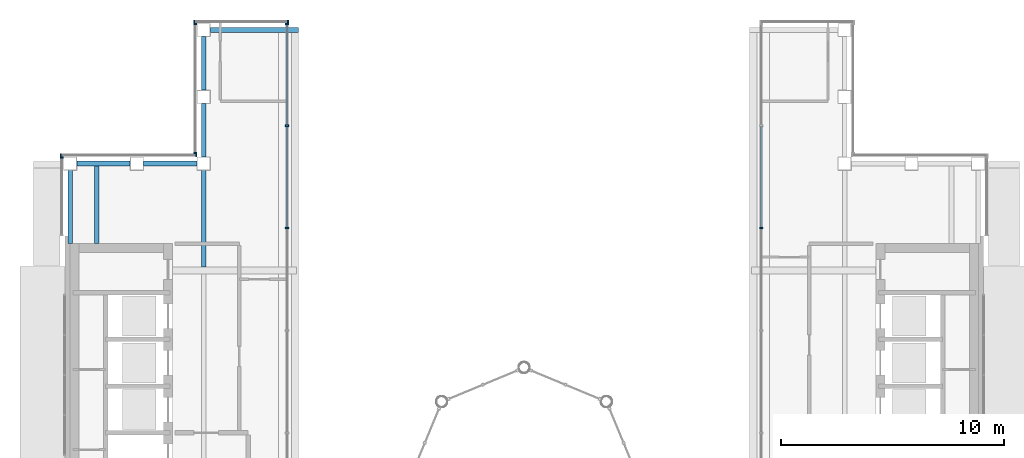
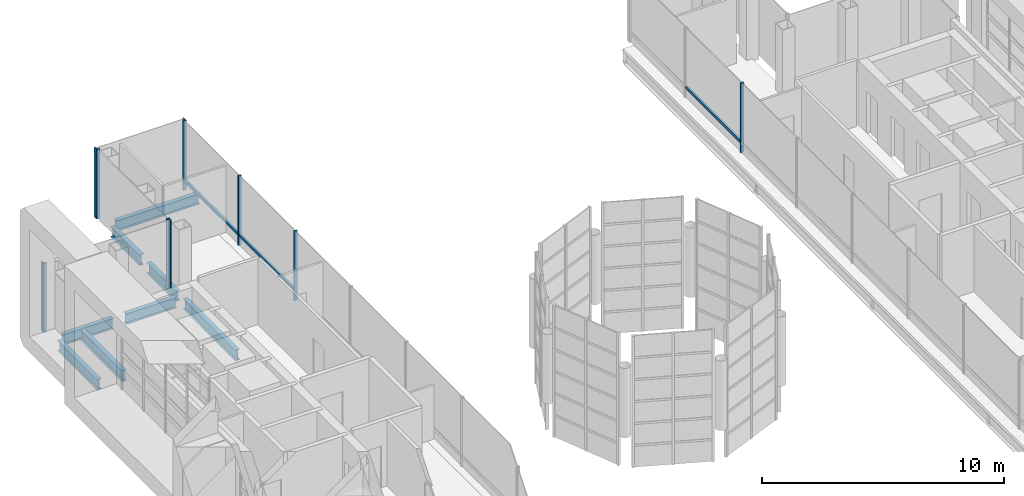
# One storey, part 8 of 21: 14 members, 8 beams, 6 elements without a shape of their own.
"""IFC4 building model written with IfcOpenShell, lengths in metres."""

from ifc_helpers import new_model, si_unit, direction, frame, origin, origin_2d, place, context, subcontext, project, spatial, rectangle, i_section, extrude, material, material_profile, profile_set, type_object, element, aggregate, save


model = new_model("IFC4")

# Units and contexts
model_context = context("Model", 3, precision=1e-05, world=origin(), true_north=direction((0.0, 1.0)))
body_context = subcontext(model_context, "Body", "Model", "MODEL_VIEW")
ifc_project = project(units=[si_unit("LENGTHUNIT", "METRE"), si_unit("AREAUNIT", "SQUARE_METRE"), si_unit("VOLUMEUNIT", "CUBIC_METRE"), si_unit("PLANEANGLEUNIT", "RADIAN"), si_unit("MASSUNIT", "GRAM", prefix="KILO")], contexts=[model_context])

# Site, building, storey
site_placement = place(None, origin())
site = spatial("IfcSite", under=ifc_project, at=site_placement, CompositionType="ELEMENT")
building_placement = place(site_placement, origin())
building = spatial("IfcBuilding", under=site, at=building_placement, Name="Cobrizo Arcos Hotel Tower", CompositionType="ELEMENT")
storey_placement = place(building_placement, frame((0.0, 0.0, 283.0)))
storey = spatial("IfcBuildingStorey", under=building, at=storey_placement, Name="L75", CompositionType="ELEMENT", Elevation=283.0)

# Curtain wall, members
ifc_material_1 = material(Name="Aluminium 6063-T6 anodised bronze", Category="aluminium")
curtain_wall_type_1 = type_object("IfcCurtainWallType", Name="CW-A guest facade", PredefinedType="NOTDEFINED", material=ifc_material_1)
curtain_wall_1_placement = place(storey_placement, origin())
curtain_wall_1 = element("IfcCurtainWall", 1, at=curtain_wall_1_placement, inside=storey, type_object=curtain_wall_type_1, Name="CW-A L75 N face", PredefinedType="NOTDEFINED")
ifc_material_profile_1 = material_profile(ifc_material_1, rectangle(XDim=0.14990234375, YDim=0.06005859375, at=origin_2d()), Name="CW-A mullion 150x60")
ifc_profile_set_1 = profile_set([ifc_material_profile_1], Name="Aluminium 6063-T6 anodised bronze")
member_type_1 = type_object("IfcMemberType", Name="CW-A mullion 150x60", PredefinedType="MULLION", material=ifc_profile_set_1)
member_1_placement = place(storey_placement, frame((-10.60595703125, 20.77490234375, 0.0), z_axis=(0.0, 0.0, 1.0), x_axis=(0.0, 1.0, 0.0)))
member_1 = element("IfcMember", 2, at=member_1_placement, type_object=member_type_1, Name="CW-A mullion 1", PredefinedType="MULLION", context=body_context, shape_type="SweptSolid", body=[
    extrude(rectangle(XDim=0.14990234375, YDim=0.06005859375, at=origin_2d()), origin(), (0.0, 0.0, 1.0), 3.5),
])
member_2_placement = place(storey_placement, frame((-14.820068359375, 20.77490234375, 0.0), z_axis=(0.0, 0.0, 1.0), x_axis=(0.0, 1.0, 0.0)))
member_2 = element("IfcMember", 3, at=member_2_placement, type_object=member_type_1, Name="CW-A mullion 2", PredefinedType="MULLION", context=body_context, shape_type="SweptSolid", body=[
    extrude(rectangle(XDim=0.14990234375, YDim=0.06005859375, at=origin_2d()), origin(), (0.0, 0.0, 1.0), 3.5),
])
aggregate(curtain_wall_1, [member_1, member_2])

curtain_wall_2_placement = place(storey_placement, origin())
curtain_wall_2 = element("IfcCurtainWall", 4, at=curtain_wall_2_placement, inside=storey, type_object=curtain_wall_type_1, Name="CW-A L75 W face", PredefinedType="NOTDEFINED")
member_3_placement = place(storey_placement, frame((-14.77490234375, 20.669921875, 0.0), z_axis=(0.0, 0.0, 1.0), x_axis=(-1.0, 0.0, 0.0)))
member_3 = element("IfcMember", 5, at=member_3_placement, type_object=member_type_1, Name="CW-A mullion 1", PredefinedType="MULLION", context=body_context, shape_type="SweptSolid", body=[
    extrude(rectangle(XDim=0.14990234375, YDim=0.06005859375, at=origin_2d()), origin(), (0.0, 0.0, 1.0), 3.5),
])
member_4_placement = place(storey_placement, frame((-14.77490234375, 14.8798828125, 0.0), z_axis=(0.0, 0.0, 1.0), x_axis=(-1.0, 0.0, 0.0)))
member_4 = element("IfcMember", 6, at=member_4_placement, type_object=member_type_1, Name="CW-A mullion 2", PredefinedType="MULLION", context=body_context, shape_type="SweptSolid", body=[
    extrude(rectangle(XDim=0.14990234375, YDim=0.06005859375, at=origin_2d()), origin(), (0.0, 0.0, 1.0), 3.5),
])
aggregate(curtain_wall_2, [member_3, member_4])

curtain_wall_3_placement = place(storey_placement, origin())
curtain_wall_3 = element("IfcCurtainWall", 7, at=curtain_wall_3_placement, inside=storey, type_object=curtain_wall_type_1, Name="CW-A L75 N face", PredefinedType="NOTDEFINED")
member_5_placement = place(storey_placement, frame((-14.72998046875, 14.77490234375, 0.0), z_axis=(0.0, 0.0, 1.0), x_axis=(0.0, 1.0, 0.0)))
member_5 = element("IfcMember", 8, at=member_5_placement, type_object=member_type_1, Name="CW-A mullion 1", PredefinedType="MULLION", context=body_context, shape_type="SweptSolid", body=[
    extrude(rectangle(XDim=0.14990234375, YDim=0.06005859375, at=origin_2d()), origin(), (0.0, 0.0, 1.0), 3.5),
])
member_6_placement = place(storey_placement, frame((-20.820068359375, 14.77490234375, 0.0), z_axis=(0.0, 0.0, 1.0), x_axis=(0.0, 1.0, 0.0)))
member_6 = element("IfcMember", 9, at=member_6_placement, type_object=member_type_1, Name="CW-A mullion 2", PredefinedType="MULLION", context=body_context, shape_type="SweptSolid", body=[
    extrude(rectangle(XDim=0.14990234375, YDim=0.06005859375, at=origin_2d()), origin(), (0.0, 0.0, 1.0), 3.5),
])
aggregate(curtain_wall_3, [member_5, member_6])

# Curtain wall, member
curtain_wall_4_placement = place(storey_placement, origin())
curtain_wall_4 = element("IfcCurtainWall", 10, at=curtain_wall_4_placement, inside=storey, type_object=curtain_wall_type_1, Name="CW-A L75 W face", PredefinedType="NOTDEFINED")
member_7_placement = place(storey_placement, frame((-20.77490234375, 14.669921875, 0.0), z_axis=(0.0, 0.0, 1.0), x_axis=(-1.0, 0.0, 0.0)))
member_7 = element("IfcMember", 11, at=member_7_placement, type_object=member_type_1, Name="CW-A mullion 1", PredefinedType="MULLION", context=body_context, shape_type="SweptSolid", body=[
    extrude(rectangle(XDim=0.14990234375, YDim=0.06005859375, at=origin_2d()), origin(), (0.0, 0.0, 1.0), 3.5),
])
aggregate(curtain_wall_4, [member_7])

curtain_wall_type_2 = type_object("IfcCurtainWallType", Name="CW-C arch infill and crown glazing", PredefinedType="NOTDEFINED", material=ifc_material_1)
curtain_wall_5_placement = place(storey_placement, origin())
curtain_wall_5 = element("IfcCurtainWall", 12, at=curtain_wall_5_placement, inside=storey, type_object=curtain_wall_type_2, Name="CW-C L75 W face", PredefinedType="NOTDEFINED")
ifc_material_profile_2 = material_profile(ifc_material_1, rectangle(XDim=0.14990234375, YDim=0.070068359375, at=origin_2d()), Name="CW-C mullion 150x70")
ifc_profile_set_2 = profile_set([ifc_material_profile_2], Name="Aluminium 6063-T6 anodised bronze")
member_type_2 = type_object("IfcMemberType", Name="CW-C mullion 150x70", PredefinedType="MULLION", material=ifc_profile_set_2)
member_8_placement = place(storey_placement, frame((10.65087890625, 11.5, 0.0), z_axis=(0.0, 0.0, 1.0), x_axis=(-1.0, 0.0, 0.0)))
member_8 = element("IfcMember", 13, at=member_8_placement, type_object=member_type_2, Name="CW-C mullion 3", PredefinedType="MULLION", context=body_context, shape_type="SweptSolid", body=[
    extrude(rectangle(XDim=0.14990234375, YDim=0.070068359375, at=origin_2d()), origin(), (0.0, 0.0, 1.0), 3.5),
])

# Curtain wall, members
curtain_wall_6_placement = place(storey_placement, origin())
curtain_wall_6 = element("IfcCurtainWall", 14, at=curtain_wall_6_placement, inside=storey, type_object=curtain_wall_type_2, Name="CW-C L75 E face", PredefinedType="NOTDEFINED")
member_9_placement = place(storey_placement, frame((-10.65087890625, 11.5, 0.0), z_axis=(0.0, 0.0, 1.0), x_axis=(1.0, 0.0, 0.0)))
member_9 = element("IfcMember", 15, at=member_9_placement, type_object=member_type_2, Name="CW-C mullion 8", PredefinedType="MULLION", context=body_context, shape_type="SweptSolid", body=[
    extrude(rectangle(XDim=0.14990234375, YDim=0.070068359375, at=origin_2d()), origin(), (0.0, 0.0, 1.0), 3.5),
])
member_10_placement = place(storey_placement, frame((-10.65087890625, 16.10009765625, 0.0), z_axis=(0.0, 0.0, 1.0), x_axis=(1.0, 0.0, 0.0)))
member_10 = element("IfcMember", 16, at=member_10_placement, type_object=member_type_2, Name="CW-C mullion 9", PredefinedType="MULLION", context=body_context, shape_type="SweptSolid", body=[
    extrude(rectangle(XDim=0.14990234375, YDim=0.070068359375, at=origin_2d()), origin(), (0.0, 0.0, 1.0), 3.5),
])
member_11_placement = place(storey_placement, frame((-10.65087890625, 20.6650390625, 0.0), z_axis=(0.0, 0.0, 1.0), x_axis=(1.0, 0.0, 0.0)))
member_11 = element("IfcMember", 17, at=member_11_placement, type_object=member_type_2, Name="CW-C mullion 10", PredefinedType="MULLION", context=body_context, shape_type="SweptSolid", body=[
    extrude(rectangle(XDim=0.14990234375, YDim=0.070068359375, at=origin_2d()), origin(), (0.0, 0.0, 1.0), 3.5),
])

# Member
ifc_material_profile_3 = material_profile(ifc_material_1, rectangle(XDim=0.10009765625, YDim=0.139892578125, at=origin_2d()), Name="CW-C transom 140x100")
ifc_profile_set_3 = profile_set([ifc_material_profile_3], Name="Aluminium 6063-T6 anodised bronze")
member_type_3 = type_object("IfcMemberType", Name="CW-C transom 140x100", PredefinedType="USERDEFINED", material=ifc_profile_set_3)
member_12_placement = place(storey_placement, frame((10.65087890625, 16.06494140625, 0.5), z_axis=(0.0, -1.0, 0.0), x_axis=(1.0, 0.0, 0.0)))
member_12 = element("IfcMember", 18, at=member_12_placement, type_object=member_type_3, Name="CW-C transom 2360", ObjectType="TRANSOM", PredefinedType="USERDEFINED", context=body_context, shape_type="SweptSolid", body=[
    extrude(rectangle(XDim=0.10009765625, YDim=0.139892578125, at=origin_2d()), origin(), (0.0, 0.0, 1.0), 4.530029296875),
])

aggregate(curtain_wall_5, [member_8, member_12])

member_13_placement = place(storey_placement, frame((-10.65087890625, 11.534912109375, 0.5), z_axis=(0.0, 1.0, 0.0), x_axis=(-1.0, 0.0, 0.0)))
member_13 = element("IfcMember", 19, at=member_13_placement, type_object=member_type_3, Name="CW-C transom 2383", ObjectType="TRANSOM", PredefinedType="USERDEFINED", context=body_context, shape_type="SweptSolid", body=[
    extrude(rectangle(XDim=0.10009765625, YDim=0.139892578125, at=origin_2d()), origin(), (0.0, 0.0, 1.0), 4.530029296875),
])

member_14_placement = place(storey_placement, frame((-10.65087890625, 16.135009765625, 0.5), z_axis=(0.0, 1.0, 0.0), x_axis=(-1.0, 0.0, 0.0)))
member_14 = element("IfcMember", 20, at=member_14_placement, type_object=member_type_3, Name="CW-C transom 2384", ObjectType="TRANSOM", PredefinedType="USERDEFINED", context=body_context, shape_type="SweptSolid", body=[
    extrude(rectangle(XDim=0.10009765625, YDim=0.139892578125, at=origin_2d()), origin(), (0.0, 0.0, 1.0), 4.494873046875),
])

aggregate(curtain_wall_6, [member_9, member_10, member_11, member_13, member_14])

# Beams
ifc_material_2 = material(Name="Steel ASTM A992 Grade 50", Category="steel")
ifc_material_profile_4 = material_profile(ifc_material_2, i_section(OverallWidth=0.209228515625, OverallDepth=0.533447265625, WebThickness=0.01025390625, FlangeThickness=0.015625, at=origin_2d()), Name="W21X62")
ifc_profile_set_4 = profile_set([ifc_material_profile_4], Name="Steel ASTM A992 Grade 50")
beam_type_1 = type_object("IfcBeamType", Name="W21X62 joist", PredefinedType="JOIST", material=ifc_profile_set_4)
beam_1_placement = place(storey_placement, frame((-19.199951171875, 10.81005859375, -0.416748046875), z_axis=(0.0, 1.0, 0.0), x_axis=(-1.0, 0.0, 0.0)))
element("IfcBeam", 21, at=beam_1_placement, inside=storey, type_object=beam_type_1, Name="Floor joist J1, L75, no. 002", PredefinedType="JOIST", context=body_context, shape_type="SweptSolid", body=[
    extrude(i_section(OverallWidth=0.209228515625, OverallDepth=0.533447265625, WebThickness=0.01025390625, FlangeThickness=0.015625, at=origin_2d()), origin(), (0.0, 0.0, 1.0), 3.5),
])
beam_2_placement = place(storey_placement, frame((-14.39990234375, 9.763916015625, -0.416748046875), z_axis=(0.0, 1.0, 0.0), x_axis=(-1.0, 0.0, 0.0)))
element("IfcBeam", 22, at=beam_2_placement, inside=storey, type_object=beam_type_1, Name="Floor joist J1, L75, no. 006", PredefinedType="JOIST", context=body_context, shape_type="SweptSolid", body=[
    extrude(i_section(OverallWidth=0.209228515625, OverallDepth=0.533447265625, WebThickness=0.01025390625, FlangeThickness=0.015625, at=origin_2d()), origin(), (0.0, 0.0, 1.0), 4.336181640625),
])
ifc_material_profile_5 = material_profile(ifc_material_2, i_section(OverallWidth=0.209228515625, OverallDepth=0.533447265625, WebThickness=0.01025390625, FlangeThickness=0.015625, at=origin_2d()), Name="W21X62")
ifc_profile_set_5 = profile_set([ifc_material_profile_5], Name="Steel ASTM A992 Grade 50")
beam_type_2 = type_object("IfcBeamType", Name="W21X62 spandrel", PredefinedType="SPANDREL", material=ifc_profile_set_5)
beam_3_placement = place(storey_placement, frame((-20.39990234375, 10.81005859375, -0.416748046875), z_axis=(0.0, 1.0, 0.0), x_axis=(-1.0, 0.0, 0.0)))
element("IfcBeam", 23, at=beam_3_placement, inside=storey, type_object=beam_type_2, Name="Spandrel beam W21X62, L75, no. 002", PredefinedType="SPANDREL", context=body_context, shape_type="SweptSolid", body=[
    extrude(i_section(OverallWidth=0.209228515625, OverallDepth=0.533447265625, WebThickness=0.01025390625, FlangeThickness=0.015625, at=origin_2d()), origin(), (0.0, 0.0, 1.0), 3.2900390625),
])
for number, where, z_axis, x_axis, name in (
    (24, (-20.10009765625, 14.39990234375, -0.416748046875), (1.0, 0.0, 0.0), (0.0, 1.0, 0.0), "Spandrel beam W21X62, L75, no. 003"),
    (25, (-17.10009765625, 14.39990234375, -0.416748046875), (1.0, 0.0, 0.0), (0.0, 1.0, 0.0), "Spandrel beam W21X62, L75, no. 004"),
    (26, (-14.39990234375, 14.699951171875, -0.416748046875), (0.0, 1.0, 0.0), (-1.0, 0.0, 0.0), "Spandrel beam W21X62, L75, no. 005"),
    (27, (-14.39990234375, 17.699951171875, -0.416748046875), (0.0, 1.0, 0.0), (-1.0, 0.0, 0.0), "Spandrel beam W21X62, L75, no. 006"),
):
    element("IfcBeam", number, at=place(storey_placement, frame(where, z_axis=z_axis, x_axis=x_axis)), inside=storey, type_object=beam_type_2, Name=name, PredefinedType="SPANDREL", context=body_context, shape_type="SweptSolid", body=[
        extrude(i_section(OverallWidth=0.209228515625, OverallDepth=0.533447265625, WebThickness=0.01025390625, FlangeThickness=0.015625, at=origin_2d()), origin(), (0.0, 0.0, 1.0), 2.400146484375),
    ])
beam_4_placement = place(storey_placement, frame((-14.10009765625, 20.39990234375, -0.416748046875), z_axis=(1.0, 0.0, 0.0), x_axis=(0.0, 1.0, 0.0)))
element("IfcBeam", 28, at=beam_4_placement, inside=storey, type_object=beam_type_2, Name="Spandrel beam W21X62, L75, no. 007", PredefinedType="SPANDREL", context=body_context, shape_type="SweptSolid", body=[
    extrude(i_section(OverallWidth=0.209228515625, OverallDepth=0.533447265625, WebThickness=0.01025390625, FlangeThickness=0.015625, at=origin_2d()), origin(), (0.0, 0.0, 1.0), 3.97216796875),
])

save(model, "model.ifc")
